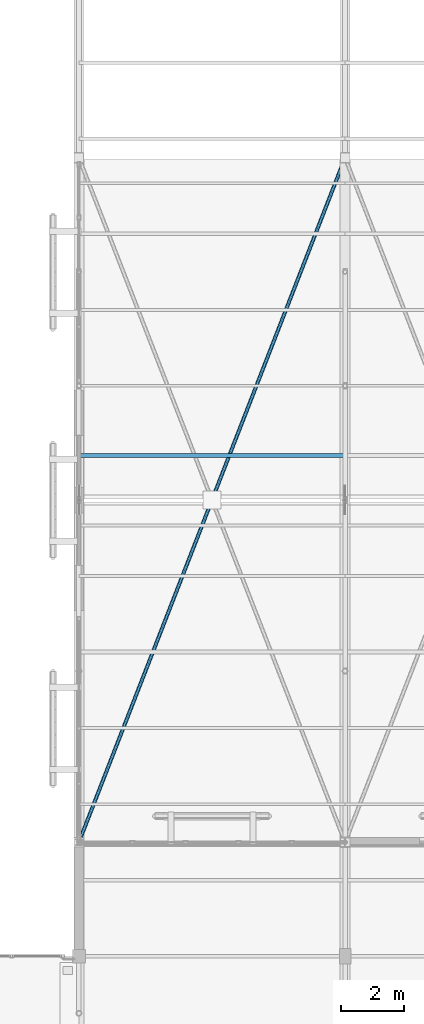
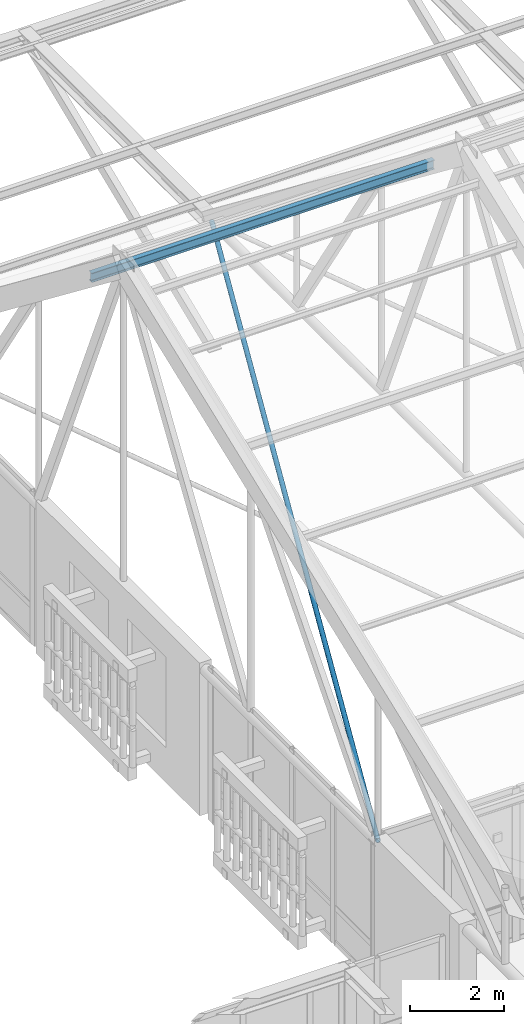
# One storey, part 78 of 217: 2 members.
"""IFC4 building model written with IfcOpenShell, lengths in metres."""

import ifcopenshell
import ifcopenshell.guid

model = None  # the IFC model being written
_history = None  # IfcOwnerHistory: only IFC2X3 demands one
_inside = {}  # id of a spatial element -> (the spatial element, [elements in it])
_under = {}  # id of a project, library or spatial element -> (it, [spatial elements below it])
_declared = {}  # id of a project -> (the project, [libraries it declares])
_typed = {}  # id of a type object -> (the type object, [elements of that type])
_made_of = {}  # id of a material, layer set ... -> (it, [elements and type objects made of it])


def new_model(schema):
    """Start an empty IFC model of exactly this schema.

    Asked for "IFC4X3", IfcOpenShell would pick the latest addendum, in which some entities
    have other attributes; the version numbers below select the first issue.
    IFC2X3 requires an IfcOwnerHistory on every rooted entity: one is made here for all.
    """
    global model, _history
    if schema == "IFC4X3":
        model = ifcopenshell.file(schema_version=(4, 3, 0, 0))
    else:
        model = ifcopenshell.file(schema=schema)
    _inside.clear()
    _under.clear()
    _declared.clear()
    _typed.clear()
    _made_of.clear()
    _history = None
    if model.schema == "IFC2X3":
        org = make("IfcOrganization", Name="unknown")
        user = make(
            "IfcPersonAndOrganization",
            ThePerson=make("IfcPerson", FamilyName="unknown"),
            TheOrganization=org,
        )
        app = make(
            "IfcApplication",
            ApplicationDeveloper=org,
            Version="unknown",
            ApplicationFullName="unknown",
            ApplicationIdentifier="unknown",
        )
        _history = make(
            "IfcOwnerHistory",
            OwningUser=user,
            OwningApplication=app,
            ChangeAction="ADDED",
            CreationDate=0,
        )
    return model


def make(cls, **values):
    """One entity of the class cls with the attributes given. An attribute that is None is left unset."""
    return model.create_entity(
        cls, **{name: value for name, value in values.items() if value is not None}
    )


def rooted(cls, **values):
    """An entity with a GlobalId (a new one), such as an element, a storey or a relation."""
    return make(cls, GlobalId=ifcopenshell.guid.new(), OwnerHistory=_history, **values)


def si_unit(unit_type, name, prefix=None):
    """IfcSIUnit, for example si_unit("LENGTHUNIT", "METRE", prefix="MILLI")."""
    return make("IfcSIUnit", UnitType=unit_type, Prefix=prefix, Name=name)


def assignment(units):
    """IfcUnitAssignment: the units of a project."""
    return None if units is None else make("IfcUnitAssignment", Units=units)


def point(xyz):
    """IfcCartesianPoint."""
    return None if xyz is None else make("IfcCartesianPoint", Coordinates=xyz)


def direction(xyz):
    """IfcDirection."""
    return None if xyz is None else make("IfcDirection", DirectionRatios=xyz)


def frame(location, z_axis=None, x_axis=None):
    """IfcAxis2Placement3D, a coordinate frame: its origin and axes. An axis left out is left unset."""
    return make(
        "IfcAxis2Placement3D",
        Location=point(location),
        Axis=direction(z_axis),
        RefDirection=direction(x_axis),
    )


def frame_2d(location, x_axis=None):
    """IfcAxis2Placement2D, a coordinate frame in the plane: its origin and x axis."""
    return make(
        "IfcAxis2Placement2D", Location=point(location), RefDirection=direction(x_axis)
    )


def origin():
    """The frame at (0, 0, 0) with its axes left unset."""
    return frame((0.0, 0.0, 0.0))


def origin_2d():
    """The frame at (0, 0) in the plane with its x axis left unset."""
    return frame_2d((0.0, 0.0))


def place(relative_to, where):
    """IfcLocalPlacement: puts the frame where relative to a parent placement (None: the world)."""
    return make(
        "IfcLocalPlacement", PlacementRelTo=relative_to, RelativePlacement=where
    )


def context(
    kind, dimensions, precision=None, world=None, true_north=None, identifier=None
):
    """IfcGeometricRepresentationContext, for example the 3D "Model" context."""
    return make(
        "IfcGeometricRepresentationContext",
        ContextIdentifier=identifier,
        ContextType=kind,
        CoordinateSpaceDimension=dimensions,
        Precision=precision,
        WorldCoordinateSystem=world,
        TrueNorth=true_north,
    )


def subcontext(parent, identifier, kind, view, scale=None):
    """IfcGeometricRepresentationSubContext, for example "Body" below "Model"."""
    return make(
        "IfcGeometricRepresentationSubContext",
        ContextIdentifier=identifier,
        ContextType=kind,
        ParentContext=parent,
        TargetScale=scale,
        TargetView=view,
    )


def project(units=None, contexts=None):
    """IfcProject with its units and contexts."""
    return rooted(
        "IfcProject",
        Name="project",
        RepresentationContexts=contexts,
        UnitsInContext=assignment(units),
    )


def spatial(cls, under=None, at=None, **own):
    """A site, building, storey or space (cls), placed at a placement, below another one or the project."""
    s = rooted(cls, ObjectPlacement=at, **own)
    if under is not None:
        _under.setdefault(under.id(), (under, []))[1].append(s)
    return s


def profile(cls, at=None, kind="AREA", **sizes):
    """A parametric profile (cls). Its sizes go by their IFC names, for example OverallWidth=200.0."""
    return make(cls, ProfileType=kind, Position=at, **sizes)


def hollow_circle(**sizes):
    """IfcCircleHollowProfileDef."""
    return profile("IfcCircleHollowProfileDef", **sizes)


def i_section(**sizes):
    """IfcIShapeProfileDef."""
    return profile("IfcIShapeProfileDef", **sizes)


def extrude(swept, where, along, depth):
    """IfcExtrudedAreaSolid: the profile swept, set in the frame where, extruded along a direction by depth."""
    return make(
        "IfcExtrudedAreaSolid",
        SweptArea=swept,
        Position=where,
        ExtrudedDirection=direction(along),
        Depth=depth,
    )


def shape(context_of_items, identifier, shape_type, items):
    """IfcShapeRepresentation: the items that make up one representation, for example the "Body"."""
    return make(
        "IfcShapeRepresentation",
        ContextOfItems=context_of_items,
        RepresentationIdentifier=identifier,
        RepresentationType=shape_type,
        Items=items,
    )


def material(Name=None, Category=None):
    """IfcMaterial."""
    return make("IfcMaterial", Name=Name, Category=Category)


def material_profile(
    of_material, cross_section, Name=None, Category=None, Priority=None
):
    """IfcMaterialProfile: a cross section and its material."""
    return make(
        "IfcMaterialProfile",
        Name=Name,
        Material=of_material,
        Profile=cross_section,
        Priority=Priority,
        Category=Category,
    )


def profile_set(profiles, Name=None, composite=None):
    """IfcMaterialProfileSet."""
    return make(
        "IfcMaterialProfileSet",
        Name=Name,
        MaterialProfiles=profiles,
        CompositeProfile=composite,
    )


def made_of(thing, what):
    """Note that an element or type object is made of a material, layer set ...; save() writes the relation."""
    if what is not None:
        _made_of.setdefault(what.id(), (what, []))[1].append(thing)
    return thing


def type_object(cls, material=None, **own):
    """A type object (cls), such as IfcWallType, which elements share."""
    return made_of(rooted(cls, **own), material)


def element(
    cls,
    number,
    at=None,
    inside=None,
    cuts=None,
    type_object=None,
    material=None,
    context=None,
    identifier="Body",
    shape_type=None,
    held_by="IfcProductDefinitionShape",
    body=None,
    shapes=None,
    **own,
):
    """One element of the class cls, such as IfcWall. Its Tag is "e" and its number.

    at: its placement. inside: the storey or other place that contains it. cuts: it is an
    opening in that element (IfcRelVoidsElement). A single representation is given by context,
    identifier, shape_type and body (its items); several are given by shapes. held_by: the class
    of the entity that holds the representations. save() writes the other relations.
    """
    e = rooted(cls, Tag="e%d" % number, ObjectPlacement=at, **own)
    if body is not None:
        shapes = [shape(context, identifier, shape_type, body)]
    if shapes is not None:
        e.Representation = make(held_by, Representations=shapes)
    if inside is not None:
        _inside.setdefault(inside.id(), (inside, []))[1].append(e)
    if cuts is not None:
        rooted(
            "IfcRelVoidsElement", RelatingBuildingElement=cuts, RelatedOpeningElement=e
        )
    if type_object is not None:
        _typed.setdefault(type_object.id(), (type_object, []))[1].append(e)
    return made_of(e, material)


def aggregate(whole, parts):
    """IfcRelAggregates: a whole, such as a stair, and the parts it consists of."""
    return rooted("IfcRelAggregates", RelatingObject=whole, RelatedObjects=parts)


def save(model, path):
    """Write the relations noted so far, then the file.

    IfcRelAggregates (storeys below a building ...), IfcRelContainedInSpatialStructure (elements
    in a storey), IfcRelDefinesByType, IfcRelAssociatesMaterial and IfcRelDeclares: one each for
    every whole, place, type object, material and project.
    """
    for whole, parts in _under.values():
        aggregate(whole, parts)
    for where, things in _inside.values():
        rooted(
            "IfcRelContainedInSpatialStructure",
            RelatedElements=things,
            RelatingStructure=where,
        )
    for kind, things in _typed.values():
        rooted("IfcRelDefinesByType", RelatedObjects=things, RelatingType=kind)
    for what, things in _made_of.values():
        rooted("IfcRelAssociatesMaterial", RelatedObjects=things, RelatingMaterial=what)
    for by, libraries in _declared.values():
        rooted("IfcRelDeclares", RelatingContext=by, RelatedDefinitions=libraries)
    model.write(path)


model = new_model("IFC4")

# Units and contexts
model_context = context("Model", 3, precision=1e-05, world=origin(), true_north=direction((0.0, 1.0)))
body_context = subcontext(model_context, "Body", "Model", "MODEL_VIEW")
ifc_project = project(units=[si_unit("LENGTHUNIT", "METRE"), si_unit("AREAUNIT", "SQUARE_METRE"), si_unit("VOLUMEUNIT", "CUBIC_METRE"), si_unit("PLANEANGLEUNIT", "RADIAN"), si_unit("MASSUNIT", "GRAM", prefix="KILO")], contexts=[model_context])

# Site, building, storey
site_placement = place(None, origin())
site = spatial("IfcSite", under=ifc_project, at=site_placement, CompositionType="ELEMENT")
building_placement = place(site_placement, origin())
building = spatial("IfcBuilding", under=site, at=building_placement, Name="Mazaris Harbour Polytechnic", CompositionType="ELEMENT")
storey_placement = place(building_placement, frame((0.0, 0.0, 9.60009765625)))
storey = spatial("IfcBuildingStorey", under=building, at=storey_placement, Name="L02", CompositionType="ELEMENT", Elevation=9.60009765625)

# Members
ifc_material_1 = material(Name="Steel S355", Category="steel")
ifc_material_profile_1 = material_profile(ifc_material_1, i_section(OverallWidth=0.1201171875, OverallDepth=0.239990234375, WebThickness=0.006103515625, FlangeThickness=0.009765625, FilletRadius=0.014892578125, at=origin_2d()), Name="IPE 240")
ifc_profile_set_1 = profile_set([ifc_material_profile_1], Name="Steel S355")
member_type_1 = type_object("IfcMemberType", Name="Steel Purlin IPE240", PredefinedType="PURLIN", material=ifc_profile_set_1)
member_1_placement = place(storey_placement, frame((54.0, 98.60009765625, 10.9609375), z_axis=(1.0, 0.0, 0.0), x_axis=(0.0, 1.0, 0.0)))
element("IfcMember", 1, at=member_1_placement, inside=storey, type_object=member_type_1, Name="V1 Roof Purlin N-14", PredefinedType="PURLIN", context=body_context, shape_type="SweptSolid", body=[
    extrude(i_section(OverallWidth=0.1201171875, OverallDepth=0.239990234375, WebThickness=0.006103515625, FlangeThickness=0.009765625, FilletRadius=0.014892578125, at=origin_2d()), origin(), (0.0, 0.0, 1.0), 8.39990234375),
])
ifc_material_2 = material(Name="Steel S355", Category="steel")
ifc_material_profile_2 = material_profile(ifc_material_2, hollow_circle(Radius=0.05712890625, WallThickness=0.00634765625, at=origin_2d()), Name="CHS 114.3x6.3")
ifc_profile_set_2 = profile_set([ifc_material_profile_2], Name="Steel S355")
member_type_2 = type_object("IfcMemberType", Name="Steel Wind Brace CHS114", PredefinedType="BRACE", material=ifc_profile_set_2)
member_2_placement = place(storey_placement, frame((54.0, 86.39990234375, 3.75), z_axis=(0.3624411776, 0.932006648463, 0.0), x_axis=(-0.932006648463, 0.3624411776, 0.0)))
element("IfcMember", 2, at=member_2_placement, inside=storey, type_object=member_type_2, Name="V1 Continuous Roof Wind Brace 1A", PredefinedType="BRACE", context=body_context, shape_type="SweptSolid", body=[
    extrude(hollow_circle(Radius=0.05712890625, WallThickness=0.00634765625, at=origin_2d()), origin(), (0.0, 0.0, 1.0), 23.176025390625),
])

save(model, "model.ifc")
